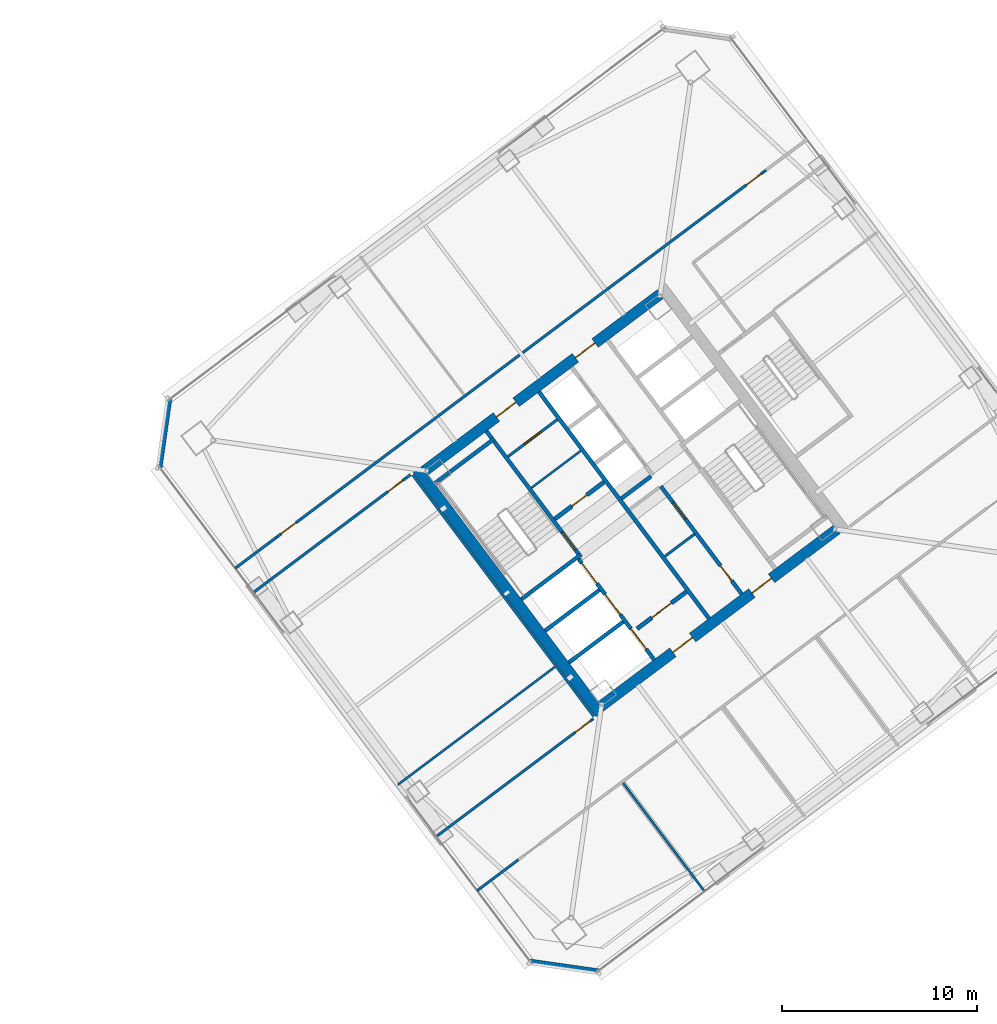
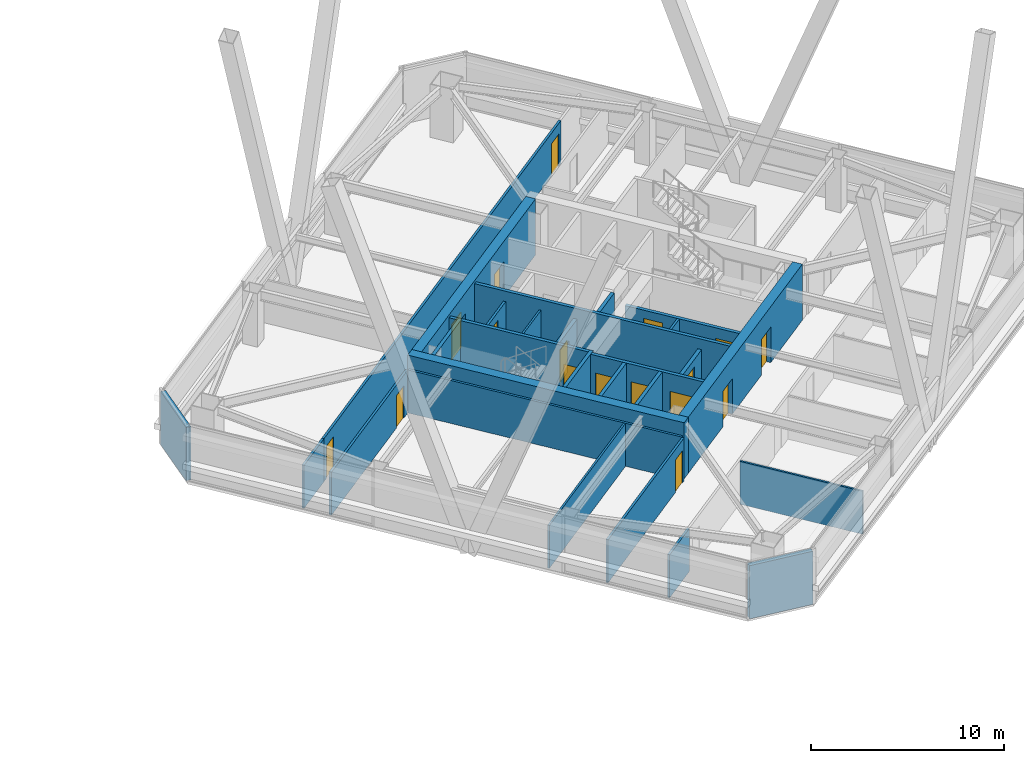
# One storey, part 42 of 50: 27 walls, 17 doors, 17 openings.
"""IFC4 building model written with IfcOpenShell, lengths in metres."""

from ifc_helpers import new_model, si_unit, direction, frame, frame_2d, origin, place, context, subcontext, project, spatial, rectangle, extrude, material, layer, layer_set, type_object, element, fill, save


model = new_model("IFC4")

# Units and contexts
model_context = context("Model", 3, precision=1e-05, world=origin(), true_north=direction((0.0, 1.0)))
body_context = subcontext(model_context, "Body", "Model", "MODEL_VIEW")
ifc_project = project(units=[si_unit("LENGTHUNIT", "METRE"), si_unit("AREAUNIT", "SQUARE_METRE"), si_unit("VOLUMEUNIT", "CUBIC_METRE"), si_unit("PLANEANGLEUNIT", "RADIAN"), si_unit("MASSUNIT", "GRAM", prefix="KILO")], contexts=[model_context])

# Site, building, storey
site_placement = place(None, origin())
site = spatial("IfcSite", under=ifc_project, at=site_placement, CompositionType="ELEMENT")
building_placement = place(site_placement, origin())
building = spatial("IfcBuilding", under=site, at=building_placement, Name="Tashvorn Skyway Center", CompositionType="ELEMENT")
storey_placement = place(building_placement, frame((0.0, 0.0, 114.39990234375)))
storey = spatial("IfcBuildingStorey", under=building, at=storey_placement, Name="L30", CompositionType="ELEMENT", Elevation=114.39990234375)

# Wall
ifc_material_1 = material(Name="Concrete C60/75", Category="concrete")
ifc_layer_1 = layer(ifc_material_1, 0.550048828125)
ifc_layer_set_1 = layer_set([ifc_layer_1], Name="Concrete C60/75")
wall_type_1 = type_object("IfcWallType", Name="WALL-CORE-550", PredefinedType="SHEAR", material=ifc_layer_set_1)
wall_1_placement = place(storey_placement, frame((112.43603515625, 21.076904296875, 0.0), z_axis=(0.0, 0.0, 1.0), x_axis=(-0.600005007985, 0.799996243986, 0.0)))
element("IfcWall", 1, at=wall_1_placement, inside=storey, type_object=wall_type_1, Name="Tower 2 L30 West Core Shear Wall", PredefinedType="SHEAR", context=body_context, shape_type="SweptSolid", body=[
    extrude(rectangle(XDim=15.60009765625, YDim=0.550048828125, at=frame_2d((7.800048828125, 0.0))), origin(), (0.0, 0.0, 1.0), 3.550048828125),
])

# Wall, openings, doors
wall_2_placement = place(storey_placement, frame((124.5390625, 30.498046875, 0.0), z_axis=(0.0, 0.0, 1.0), x_axis=(-0.799998054672, -0.600002593761, 0.0)))
wall_2 = element("IfcWall", 2, at=wall_2_placement, inside=storey, type_object=wall_type_1, Name="Tower 2 L30 South Core Shear Wall", PredefinedType="SHEAR", context=body_context, shape_type="SweptSolid", body=[
    extrude(rectangle(XDim=15.06005859375, YDim=0.550048828125, at=frame_2d((7.530029296875, 0.0))), origin(), (0.0, 0.0, 1.0), 3.550048828125),
])
opening_1_placement = place(wall_2_placement, frame((9.22998046875, 0.0, 0.0)))
opening_1 = element("IfcOpeningElement", 3, at=opening_1_placement, cuts=wall_2, Name="Opening D-FFL-1250", PredefinedType="OPENING", context=body_context, shape_type="SweptSolid", body=[
    extrude(rectangle(XDim=1.25, YDim=2.25, at=frame_2d((0.625, 1.125))), frame((0.0, 0.284912109375, 0.0), z_axis=(0.0, -1.0, 0.0), x_axis=(1.0, 0.0, 0.0)), (0.0, 0.0, 1.0), 0.570068359375),
])
opening_2_placement = place(wall_2_placement, frame((4.179931640625, 0.0, 0.0)))
opening_2 = element("IfcOpeningElement", 4, at=opening_2_placement, cuts=wall_2, Name="Opening D-FFL-1250", PredefinedType="OPENING", context=body_context, shape_type="SweptSolid", body=[
    extrude(rectangle(XDim=1.25, YDim=2.25, at=frame_2d((0.625, 1.125))), frame((0.0, 0.284912109375, 0.0), z_axis=(0.0, -1.0, 0.0), x_axis=(1.0, 0.0, 0.0)), (0.0, 0.0, 1.0), 0.570068359375),
])
ifc_material_2 = material(Name="Hollow galvanized steel fire door assembly", Category="steel")
door_type_1 = type_object("IfcDoorType", Name="DOOR-FFL-1250", OperationType="NOTDEFINED", PredefinedType="DOOR", material=ifc_material_2)
door_1_placement = place(opening_1_placement, origin())
door_1 = element("IfcDoor", 5, at=door_1_placement, inside=storey, type_object=door_type_1, Name="Tower 2 L30 Core South Firefighting Exit Door", OperationType="SINGLE_SWING_LEFT", OverallHeight=2.25, OverallWidth=1.25, PredefinedType="DOOR", context=body_context, shape_type="SweptSolid", body=[
    extrude(rectangle(XDim=1.25, YDim=2.25, at=frame_2d((0.625, 1.125))), frame((0.0, 0.02490234375, 0.0), z_axis=(0.0, -1.0, 0.0), x_axis=(1.0, 0.0, 0.0)), (0.0, 0.0, 1.0), 0.050048828125),
])
fill(opening_1, door_1)
door_2_placement = place(opening_2_placement, origin())
door_2 = element("IfcDoor", 6, at=door_2_placement, inside=storey, type_object=door_type_1, Name="Tower 2 L30 Core South Lift Lobby Door", OperationType="SINGLE_SWING_RIGHT", OverallHeight=2.25, OverallWidth=1.25, PredefinedType="DOOR", context=body_context, shape_type="SweptSolid", body=[
    extrude(rectangle(XDim=1.25, YDim=2.25, at=frame_2d((0.625, 1.125))), frame((0.0, 0.02490234375, 0.0), z_axis=(0.0, -1.0, 0.0), x_axis=(1.0, 0.0, 0.0)), (0.0, 0.0, 1.0), 0.050048828125),
])
fill(opening_2, door_2)

wall_3_placement = place(storey_placement, frame((103.4609375, 33.501953125, 0.0), z_axis=(0.0, 0.0, 1.0), x_axis=(0.799998054672, 0.600002593761, 0.0)))
wall_3 = element("IfcWall", 7, at=wall_3_placement, inside=storey, type_object=wall_type_1, Name="Tower 2 L30 North Core Shear Wall", PredefinedType="SHEAR", context=body_context, shape_type="SweptSolid", body=[
    extrude(rectangle(XDim=15.06005859375, YDim=0.550048828125, at=frame_2d((7.530029296875, 0.0))), origin(), (0.0, 0.0, 1.0), 3.550048828125),
])
opening_3_placement = place(wall_3_placement, frame((4.580078125, 0.0, 0.0)))
opening_3 = element("IfcOpeningElement", 8, at=opening_3_placement, cuts=wall_3, Name="Opening D-FFL-1250", PredefinedType="OPENING", context=body_context, shape_type="SweptSolid", body=[
    extrude(rectangle(XDim=1.25, YDim=2.25, at=frame_2d((0.625, 1.125))), frame((0.0, 0.284912109375, 0.0), z_axis=(0.0, -1.0, 0.0), x_axis=(1.0, 0.0, 0.0)), (0.0, 0.0, 1.0), 0.570068359375),
])
opening_4_placement = place(wall_3_placement, frame((9.6298828125, 0.0, 0.0)))
opening_4 = element("IfcOpeningElement", 9, at=opening_4_placement, cuts=wall_3, Name="Opening D-FFL-1250", PredefinedType="OPENING", context=body_context, shape_type="SweptSolid", body=[
    extrude(rectangle(XDim=1.25, YDim=2.25, at=frame_2d((0.625, 1.125))), frame((0.0, 0.284912109375, 0.0), z_axis=(0.0, -1.0, 0.0), x_axis=(1.0, 0.0, 0.0)), (0.0, 0.0, 1.0), 0.570068359375),
])
door_3_placement = place(opening_3_placement, origin())
door_3 = element("IfcDoor", 10, at=door_3_placement, inside=storey, type_object=door_type_1, Name="Tower 2 L30 Core North Service Lobby Door", OperationType="SINGLE_SWING_LEFT", OverallHeight=2.25, OverallWidth=1.25, PredefinedType="DOOR", context=body_context, shape_type="SweptSolid", body=[
    extrude(rectangle(XDim=1.25, YDim=2.25, at=frame_2d((0.625, 1.125))), frame((0.0, 0.02490234375, 0.0), z_axis=(0.0, -1.0, 0.0), x_axis=(1.0, 0.0, 0.0)), (0.0, 0.0, 1.0), 0.050048828125),
])
fill(opening_3, door_3)
door_4_placement = place(opening_4_placement, origin())
door_4 = element("IfcDoor", 11, at=door_4_placement, inside=storey, type_object=door_type_1, Name="Tower 2 L30 Core North Lift Lobby Door", OperationType="SINGLE_SWING_RIGHT", OverallHeight=2.25, OverallWidth=1.25, PredefinedType="DOOR", context=body_context, shape_type="SweptSolid", body=[
    extrude(rectangle(XDim=1.25, YDim=2.25, at=frame_2d((0.625, 1.125))), frame((0.0, 0.02490234375, 0.0), z_axis=(0.0, -1.0, 0.0), x_axis=(1.0, 0.0, 0.0)), (0.0, 0.0, 1.0), 0.050048828125),
])
fill(opening_4, door_4)

# Walls
ifc_material_3 = material(Name="Precast concrete C40/50", Category="concrete")
ifc_layer_2 = layer(ifc_material_3, 0.280029296875)
ifc_layer_set_2 = layer_set([ifc_layer_2], Name="Precast concrete C40/50")
wall_type_2 = type_object("IfcWallType", Name="WALL-EXT-280", PredefinedType="SOLIDWALL", material=ifc_layer_set_2)
for number, where, z_axis, x_axis, name in (
    (12, (112.340087890625, 7.8798828125, 0.0), (0.0, 0.0, 1.0), (-0.989949493661, 0.141421356237, 0.0), "Tower 2 L30 SW Precast Chamfer Wall"),
    (13, (89.8798828125, 33.659912109375, 0.0), (0.0, 0.0, 1.0), (0.141421356237, 0.989949493661, 0.0), "Tower 2 L30 NW Precast Chamfer Wall"),
):
    element("IfcWall", number, at=place(storey_placement, frame(where, z_axis=z_axis, x_axis=x_axis)), inside=storey, type_object=wall_type_2, Name=name, PredefinedType="SOLIDWALL", context=body_context, shape_type="SweptSolid", body=[
        extrude(rectangle(XDim=3.53564453125, YDim=0.280029296875, at=frame_2d((1.767822265625, 0.0))), origin(), (0.0, 0.0, 1.0), 3.3701171875),
    ])

# Wall, opening, door
ifc_material_4 = material(Name="Concrete C40/50", Category="concrete")
ifc_layer_3 = layer(ifc_material_4, 0.219970703125)
ifc_layer_set_3 = layer_set([ifc_layer_3], Name="Concrete C40/50")
wall_type_3 = type_object("IfcWallType", Name="WALL-FFL-220", PredefinedType="SOLIDWALL", material=ifc_layer_set_3)
wall_4_placement = place(storey_placement, frame((110.10400390625, 31.028076171875, 0.0), z_axis=(0.0, 0.0, 1.0), x_axis=(0.800018601094, 0.59997519774, 0.0)))
wall_4 = element("IfcWall", 14, at=wall_4_placement, inside=storey, type_object=wall_type_3, Name="Tower 2 L30 Firefighting Lobby North Wall", PredefinedType="SOLIDWALL", context=body_context, shape_type="SweptSolid", body=[
    extrude(rectangle(XDim=3.14990234375, YDim=0.219970703125, at=frame_2d((1.574951171875, 0.0))), origin(), (0.0, 0.0, 1.0), 2.72314453125),
])
opening_5_placement = place(wall_4_placement, frame((1.10009765625, 0.0, 0.0)))
opening_5 = element("IfcOpeningElement", 15, at=opening_5_placement, cuts=wall_4, Name="Opening D-RT-950", PredefinedType="OPENING", context=body_context, shape_type="SweptSolid", body=[
    extrude(rectangle(XDim=0.949951171875, YDim=2.050048828125, at=frame_2d((0.47509765625, 1.02490234375))), frame((0.0, 0.119873046875, 0.0), z_axis=(0.0, -1.0, 0.0), x_axis=(1.0, 0.0, 0.0)), (0.0, 0.0, 1.0), 0.239990234375),
])
door_type_2 = type_object("IfcDoorType", Name="DOOR-RATED-950", OperationType="NOTDEFINED", PredefinedType="DOOR", material=ifc_material_2)
door_5_placement = place(opening_5_placement, origin())
door_5 = element("IfcDoor", 16, at=door_5_placement, inside=storey, type_object=door_type_2, Name="Tower 2 L30 Core Linen Store Door", OperationType="SINGLE_SWING_LEFT", OverallHeight=2.050048828125, OverallWidth=0.949951171875, PredefinedType="DOOR", context=body_context, shape_type="SweptSolid", body=[
    extrude(rectangle(XDim=0.949951171875, YDim=2.050048828125, at=frame_2d((0.47509765625, 1.02490234375))), frame((0.0, 0.02490234375, 0.0), z_axis=(0.0, -1.0, 0.0), x_axis=(1.0, 0.0, 0.0)), (0.0, 0.0, 1.0), 0.050048828125),
])
fill(opening_5, door_5)

wall_5_placement = place(storey_placement, frame((114.31591796875, 25.412109375, 0.0), z_axis=(0.0, 0.0, 1.0), x_axis=(0.800018601094, 0.59997519774, 0.0)))
wall_5 = element("IfcWall", 17, at=wall_5_placement, inside=storey, type_object=wall_type_3, Name="Tower 2 L30 Firefighting Lobby South Wall", PredefinedType="SOLIDWALL", context=body_context, shape_type="SweptSolid", body=[
    extrude(rectangle(XDim=3.14990234375, YDim=0.219970703125, at=frame_2d((1.574951171875, 0.0))), origin(), (0.0, 0.0, 1.0), 2.72314453125),
])
opening_6_placement = place(wall_5_placement, frame((0.949951171875, 0.0, 0.0)))
opening_6 = element("IfcOpeningElement", 18, at=opening_6_placement, cuts=wall_5, Name="Opening D-FFL-1250", PredefinedType="OPENING", context=body_context, shape_type="SweptSolid", body=[
    extrude(rectangle(XDim=1.25, YDim=2.25, at=frame_2d((0.625, 1.125))), frame((0.0, 0.119873046875, 0.0), z_axis=(0.0, -1.0, 0.0), x_axis=(1.0, 0.0, 0.0)), (0.0, 0.0, 1.0), 0.239990234375),
])
door_6_placement = place(opening_6_placement, origin())
door_6 = element("IfcDoor", 19, at=door_6_placement, inside=storey, type_object=door_type_1, Name="Tower 2 L30 Firefighting Lobby Egress Door", OperationType="SINGLE_SWING_LEFT", OverallHeight=2.25, OverallWidth=1.25, PredefinedType="DOOR", context=body_context, shape_type="SweptSolid", body=[
    extrude(rectangle(XDim=1.25, YDim=2.25, at=frame_2d((0.625, 1.125))), frame((0.0, 0.02490234375, 0.0), z_axis=(0.0, -1.0, 0.0), x_axis=(1.0, 0.0, 0.0)), (0.0, 0.0, 1.0), 0.050048828125),
])
fill(opening_6, door_6)

# Walls
ifc_material_5 = material(Name="Gypsum board on cold-formed steel stud framing", Category="steel")
ifc_layer_4 = layer(ifc_material_5, 0.110107421875)
ifc_layer_set_4 = layer_set([ifc_layer_4], Name="Gypsum board on cold-formed steel stud framing")
wall_type_4 = type_object("IfcWallType", Name="WALL-PART-110", PredefinedType="PARTITIONING", material=ifc_layer_set_4)
wall_6_placement = place(storey_placement, frame((117.76806640625, 11.97607421875, 0.0), z_axis=(0.0, 0.0, 1.0), x_axis=(-0.6, 0.8, 0.0)))
element("IfcWall", 20, at=wall_6_placement, inside=storey, type_object=wall_type_4, Name="Tower 2 L30 South Suite Partition 1", PredefinedType="PARTITIONING", context=body_context, shape_type="SweptSolid", body=[
    extrude(rectangle(XDim=6.929931640625, YDim=0.110107421875, at=frame_2d((3.46484375, 0.0))), origin(), (0.0, 0.0, 1.0), 2.72314453125),
])
wall_7_placement = place(storey_placement, frame((102.075927734375, 17.431884765625, 0.0), z_axis=(0.0, 0.0, 1.0), x_axis=(0.799991245945, 0.600011671896, 0.0)))
element("IfcWall", 21, at=wall_7_placement, inside=storey, type_object=wall_type_4, Name="Tower 2 L30 West Mid Partition", PredefinedType="PARTITIONING", context=body_context, shape_type="SweptSolid", body=[
    extrude(rectangle(XDim=10.0400390625, YDim=0.110107421875, at=frame_2d((5.02001953125, 0.0))), origin(), (0.0, 0.0, 1.0), 2.72314453125),
])

# Wall, openings, doors
ifc_layer_5 = layer(ifc_material_5, 0.135009765625)
ifc_layer_set_5 = layer_set([ifc_layer_5], Name="Gypsum board on cold-formed steel stud framing")
wall_type_5 = type_object("IfcWallType", Name="WALL-PART-135", PredefinedType="PARTITIONING", material=ifc_layer_set_5)
wall_8_placement = place(storey_placement, frame((95.8701171875, 30.090087890625, 0.0), z_axis=(0.0, 0.0, 1.0), x_axis=(0.799997191971, 0.600003744021, 0.0)))
wall_8 = element("IfcWall", 22, at=wall_8_placement, inside=storey, type_object=wall_type_5, Name="Tower 2 L30 North Suite Wall", PredefinedType="PARTITIONING", context=body_context, shape_type="SweptSolid", body=[
    extrude(rectangle(XDim=31.2998046875, YDim=0.135009765625, at=frame_2d((15.64990234375, 0.0))), origin(), (0.0, 0.0, 1.0), 2.72314453125),
])
opening_7_placement = place(wall_8_placement, frame((0.300048828125, 0.0, 0.0)))
opening_7 = element("IfcOpeningElement", 23, at=opening_7_placement, cuts=wall_8, Name="Opening D-INT-950", PredefinedType="OPENING", context=body_context, shape_type="SweptSolid", body=[
    extrude(rectangle(XDim=0.949951171875, YDim=2.050048828125, at=frame_2d((0.47509765625, 1.02490234375))), frame((0.0, 0.077392578125, 0.0), z_axis=(0.0, -1.0, 0.0), x_axis=(1.0, 0.0, 0.0)), (0.0, 0.0, 1.0), 0.155029296875),
])
opening_8_placement = place(wall_8_placement, frame((30.050048828125, 0.0, 0.0)))
opening_8 = element("IfcOpeningElement", 24, at=opening_8_placement, cuts=wall_8, Name="Opening D-INT-950", PredefinedType="OPENING", context=body_context, shape_type="SweptSolid", body=[
    extrude(rectangle(XDim=0.949951171875, YDim=2.050048828125, at=frame_2d((0.47509765625, 1.02490234375))), frame((0.0, 0.077392578125, 0.0), z_axis=(0.0, -1.0, 0.0), x_axis=(1.0, 0.0, 0.0)), (0.0, 0.0, 1.0), 0.155029296875),
])
ifc_material_6 = material(Name="Solid-core architectural oak veneer door")
door_type_3 = type_object("IfcDoorType", Name="DOOR-INT-950", OperationType="NOTDEFINED", PredefinedType="DOOR", material=ifc_material_6)
door_7_placement = place(opening_7_placement, origin())
door_7 = element("IfcDoor", 25, at=door_7_placement, inside=storey, type_object=door_type_3, Name="Tower 2 L30 Executive Study Lounge Door", OperationType="SINGLE_SWING_RIGHT", OverallHeight=2.050048828125, OverallWidth=0.949951171875, PredefinedType="DOOR", context=body_context, shape_type="SweptSolid", body=[
    extrude(rectangle(XDim=0.949951171875, YDim=2.050048828125, at=frame_2d((0.47509765625, 1.02490234375))), frame((0.0, 0.02490234375, 0.0), z_axis=(0.0, -1.0, 0.0), x_axis=(1.0, 0.0, 0.0)), (0.0, 0.0, 1.0), 0.050048828125),
])
fill(opening_7, door_7)
door_8_placement = place(opening_8_placement, origin())
door_8 = element("IfcDoor", 26, at=door_8_placement, inside=storey, type_object=door_type_3, Name="Tower 2 L30 Executive Study Lounge Door", OperationType="SINGLE_SWING_LEFT", OverallHeight=2.050048828125, OverallWidth=0.949951171875, PredefinedType="DOOR", context=body_context, shape_type="SweptSolid", body=[
    extrude(rectangle(XDim=0.949951171875, YDim=2.050048828125, at=frame_2d((0.47509765625, 1.02490234375))), frame((0.0, 0.02490234375, 0.0), z_axis=(0.0, -1.0, 0.0), x_axis=(1.0, 0.0, 0.0)), (0.0, 0.0, 1.0), 0.050048828125),
])
fill(opening_8, door_8)

# Walls
wall_9_placement = place(storey_placement, frame((93.76611328125, 28.511962890625, 0.0), z_axis=(0.0, 0.0, 1.0), x_axis=(0.799977721118, 0.600029704027, 0.0)))
element("IfcWall", 27, at=wall_9_placement, inside=storey, type_object=wall_type_5, Name="Tower 2 L30 North-West Suite South Wall", PredefinedType="PARTITIONING", context=body_context, shape_type="SweptSolid", body=[
    extrude(rectangle(XDim=2.630126953125, YDim=0.135009765625, at=frame_2d((1.31494140625, 0.0))), origin(), (0.0, 0.0, 1.0), 2.72314453125),
])
wall_10_placement = place(storey_placement, frame((106.137939453125, 12.01611328125, 0.0), z_axis=(0.0, 0.0, 1.0), x_axis=(0.80002227902, 0.599970293491, 0.0)))
element("IfcWall", 28, at=wall_10_placement, inside=storey, type_object=wall_type_5, Name="Tower 2 L30 South-West Suite North Wall", PredefinedType="PARTITIONING", context=body_context, shape_type="SweptSolid", body=[
    extrude(rectangle(XDim=2.6298828125, YDim=0.135009765625, at=frame_2d((1.31494140625, 0.0))), origin(), (0.0, 0.0, 1.0), 2.72314453125),
])
wall_11_placement = place(storey_placement, frame((112.10400390625, 20.927978515625, 0.0), z_axis=(0.0, 0.0, 1.0), x_axis=(-0.599994940075, 0.800003794918, 0.0)))
element("IfcWall", 29, at=wall_11_placement, inside=storey, type_object=wall_type_5, Name="Tower 2 L30 West Inner Suite Wall", PredefinedType="PARTITIONING", context=body_context, shape_type="SweptSolid", body=[
    extrude(rectangle(XDim=15.43994140625, YDim=0.135009765625, at=frame_2d((7.719970703125, 0.0))), origin(), (0.0, 0.0, 1.0), 2.72314453125),
])

# Wall, opening, door
wall_12_placement = place(storey_placement, frame((102.72802734375, 33.2958984375, 0.0), z_axis=(0.0, 0.0, 1.0), x_axis=(-0.800002918023, -0.599996109283, 0.0)))
wall_12 = element("IfcWall", 30, at=wall_12_placement, inside=storey, type_object=wall_type_5, Name="Tower 2 L30 West Suite North Wall", PredefinedType="PARTITIONING", context=body_context, shape_type="SweptSolid", body=[
    extrude(rectangle(XDim=10.0400390625, YDim=0.135009765625, at=frame_2d((5.02001953125, 0.0))), origin(), (0.0, 0.0, 1.0), 2.72314453125),
])
opening_9_placement = place(wall_12_placement, frame((0.5, 0.0, 0.0)))
opening_9 = element("IfcOpeningElement", 31, at=opening_9_placement, cuts=wall_12, Name="Opening D-INT-950", PredefinedType="OPENING", context=body_context, shape_type="SweptSolid", body=[
    extrude(rectangle(XDim=0.949951171875, YDim=2.050048828125, at=frame_2d((0.47509765625, 1.02490234375))), frame((0.0, 0.077392578125, 0.0), z_axis=(0.0, -1.0, 0.0), x_axis=(1.0, 0.0, 0.0)), (0.0, 0.0, 1.0), 0.155029296875),
])
door_9_placement = place(opening_9_placement, origin())
door_9 = element("IfcDoor", 32, at=door_9_placement, inside=storey, type_object=door_type_3, Name="Tower 2 L30 Reading Lounge Door", OperationType="SINGLE_SWING_LEFT", OverallHeight=2.050048828125, OverallWidth=0.949951171875, PredefinedType="DOOR", context=body_context, shape_type="SweptSolid", body=[
    extrude(rectangle(XDim=0.949951171875, YDim=2.050048828125, at=frame_2d((0.47509765625, 1.02490234375))), frame((0.0, 0.02490234375, 0.0), z_axis=(0.0, -1.0, 0.0), x_axis=(1.0, 0.0, 0.0)), (0.0, 0.0, 1.0), 0.050048828125),
])
fill(opening_9, door_9)

wall_13_placement = place(storey_placement, frame((104.055908203125, 14.7919921875, 0.0), z_axis=(0.0, 0.0, 1.0), x_axis=(0.800002918023, 0.599996109283, 0.0)))
wall_13 = element("IfcWall", 33, at=wall_13_placement, inside=storey, type_object=wall_type_5, Name="Tower 2 L30 West Suite South Wall", PredefinedType="PARTITIONING", context=body_context, shape_type="SweptSolid", body=[
    extrude(rectangle(XDim=10.0400390625, YDim=0.135009765625, at=frame_2d((5.02001953125, 0.0))), origin(), (0.0, 0.0, 1.0), 2.72314453125),
])
opening_10_placement = place(wall_13_placement, frame((8.8798828125, 0.0, 0.0)))
opening_10 = element("IfcOpeningElement", 34, at=opening_10_placement, cuts=wall_13, Name="Opening D-INT-950", PredefinedType="OPENING", context=body_context, shape_type="SweptSolid", body=[
    extrude(rectangle(XDim=0.949951171875, YDim=2.050048828125, at=frame_2d((0.47509765625, 1.02490234375))), frame((0.0, 0.077392578125, 0.0), z_axis=(0.0, -1.0, 0.0), x_axis=(1.0, 0.0, 0.0)), (0.0, 0.0, 1.0), 0.155029296875),
])
door_10_placement = place(opening_10_placement, origin())
door_10 = element("IfcDoor", 35, at=door_10_placement, inside=storey, type_object=door_type_3, Name="Tower 2 L30 Public Restroom Door", OperationType="SINGLE_SWING_RIGHT", OverallHeight=2.050048828125, OverallWidth=0.949951171875, PredefinedType="DOOR", context=body_context, shape_type="SweptSolid", body=[
    extrude(rectangle(XDim=0.949951171875, YDim=2.050048828125, at=frame_2d((0.47509765625, 1.02490234375))), frame((0.0, 0.02490234375, 0.0), z_axis=(0.0, -1.0, 0.0), x_axis=(1.0, 0.0, 0.0)), (0.0, 0.0, 1.0), 0.050048828125),
])
fill(opening_10, door_10)

# Wall
ifc_layer_6 = layer(ifc_material_5, 0.110107421875)
ifc_layer_set_6 = layer_set([ifc_layer_6], Name="Gypsum board on cold-formed steel stud framing")
wall_type_6 = type_object("IfcWallType", Name="WALL-RATED-110", PredefinedType="PARTITIONING", material=ifc_layer_set_6)
wall_14_placement = place(storey_placement, frame((108.909912109375, 32.6201171875, 0.0), z_axis=(0.0, 0.0, 1.0), x_axis=(0.800018601094, 0.59997519774, 0.0)))
element("IfcWall", 36, at=wall_14_placement, inside=storey, type_object=wall_type_6, Name="Tower 2 L30 Core Transverse Wall", PredefinedType="PARTITIONING", context=body_context, shape_type="SweptSolid", body=[
    extrude(rectangle(XDim=3.14990234375, YDim=0.110107421875, at=frame_2d((1.574951171875, 0.0))), origin(), (0.0, 0.0, 1.0), 2.72314453125),
])

# Wall, opening, door
ifc_layer_7 = layer(ifc_material_5, 0.135009765625)
ifc_layer_set_7 = layer_set([ifc_layer_7], Name="Gypsum board on cold-formed steel stud framing")
wall_type_7 = type_object("IfcWallType", Name="WALL-RATED-135", PredefinedType="PARTITIONING", material=ifc_layer_set_7)
wall_15_placement = place(storey_placement, frame((107.7099609375, 34.219970703125, 0.0), z_axis=(0.0, 0.0, 1.0), x_axis=(0.799981399002, 0.60002480053, 0.0)))
wall_15 = element("IfcWall", 37, at=wall_15_placement, inside=storey, type_object=wall_type_7, Name="Tower 2 L30 Core Service Lobby Wall", PredefinedType="PARTITIONING", context=body_context, shape_type="SweptSolid", body=[
    extrude(rectangle(XDim=3.150146484375, YDim=0.135009765625, at=frame_2d((1.5751953125, 0.0))), origin(), (0.0, 0.0, 1.0), 2.72314453125),
])
opening_11_placement = place(wall_15_placement, frame((1.050048828125, 0.0, 0.0)))
opening_11 = element("IfcOpeningElement", 38, at=opening_11_placement, cuts=wall_15, Name="Opening D-RT-1050", PredefinedType="OPENING", context=body_context, shape_type="SweptSolid", body=[
    extrude(rectangle(XDim=1.050048828125, YDim=2.199951171875, at=frame_2d((0.52490234375, 1.10009765625))), frame((0.0, 0.077392578125, 0.0), z_axis=(0.0, -1.0, 0.0), x_axis=(1.0, 0.0, 0.0)), (0.0, 0.0, 1.0), 0.155029296875),
])
door_type_4 = type_object("IfcDoorType", Name="DOOR-RATED-1050", OperationType="NOTDEFINED", PredefinedType="DOOR", material=ifc_material_2)
door_11_placement = place(opening_11_placement, origin())
door_11 = element("IfcDoor", 39, at=door_11_placement, inside=storey, type_object=door_type_4, Name="Tower 2 L30 Core Accessible WC Door", OperationType="SINGLE_SWING_RIGHT", OverallHeight=2.199951171875, OverallWidth=1.050048828125, PredefinedType="DOOR", context=body_context, shape_type="SweptSolid", body=[
    extrude(rectangle(XDim=1.050048828125, YDim=2.199951171875, at=frame_2d((0.52490234375, 1.10009765625))), frame((0.0, 0.02490234375, 0.0), z_axis=(0.0, -1.0, 0.0), x_axis=(1.0, 0.0, 0.0)), (0.0, 0.0, 1.0), 0.050048828125),
])
fill(opening_11, door_11)

# Walls
wall_16_placement = place(storey_placement, frame((115.74609375, 29.1220703125, 0.0), z_axis=(0.0, 0.0, 1.0), x_axis=(0.8, 0.6, 0.0)))
element("IfcWall", 40, at=wall_16_placement, inside=storey, type_object=wall_type_7, Name="Tower 2 L30 Freed Core Partition", PredefinedType="PARTITIONING", context=body_context, shape_type="SweptSolid", body=[
    extrude(rectangle(XDim=1.8798828125, YDim=0.135009765625, at=frame_2d((0.93994140625, 0.0))), origin(), (0.0, 0.0, 1.0), 2.72314453125),
])
ifc_layer_8 = layer(ifc_material_4, 0.199951171875)
ifc_layer_set_8 = layer_set([ifc_layer_8], Name="Concrete C40/50")
wall_type_8 = type_object("IfcWallType", Name="WALL-SHAFT-200", PredefinedType="SOLIDWALL", material=ifc_layer_set_8)
for number, where, z_axis, x_axis, name in (
    (41, (110.825927734375, 23.681884765625, 0.0), (0.0, 0.0, 1.0), (0.8, 0.6, 0.0), "Tower 2 L30 FSAE Shaft Divider"),
    (42, (109.60791015625, 25.305908203125, 0.0), (0.0, 0.0, 1.0), (0.8, 0.6, 0.0), "Tower 2 L30 FSAE Shaft Divider"),
):
    element("IfcWall", number, at=place(storey_placement, frame(where, z_axis=z_axis, x_axis=x_axis)), inside=storey, type_object=wall_type_8, Name=name, PredefinedType="SOLIDWALL", context=body_context, shape_type="SweptSolid", body=[
        extrude(rectangle(XDim=3.480224609375, YDim=0.199951171875, at=frame_2d((1.740234375, 0.0))), origin(), (0.0, 0.0, 1.0), 3.3701171875),
    ])

# Wall, openings, doors
wall_17_placement = place(storey_placement, frame((119.669921875, 27.18994140625, 0.0), z_axis=(0.0, 0.0, 1.0), x_axis=(-0.599988677396, 0.800008491828, 0.0)))
wall_17 = element("IfcWall", 43, at=wall_17_placement, inside=storey, type_object=wall_type_8, Name="Tower 2 L30 Low-Rise Core Wall", PredefinedType="SOLIDWALL", context=body_context, shape_type="SweptSolid", body=[
    extrude(rectangle(XDim=6.89990234375, YDim=0.199951171875, at=frame_2d((3.449951171875, 0.0))), origin(), (0.0, 0.0, 1.0), 2.72314453125),
])
opening_12_placement = place(wall_17_placement, frame((0.85009765625, 0.0, 0.0)))
opening_12 = element("IfcOpeningElement", 44, at=opening_12_placement, cuts=wall_17, Name="Opening D-RT-950", PredefinedType="OPENING", context=body_context, shape_type="SweptSolid", body=[
    extrude(rectangle(XDim=0.949951171875, YDim=2.050048828125, at=frame_2d((0.47509765625, 1.02490234375))), frame((0.0, 0.10986328125, 0.0), z_axis=(0.0, -1.0, 0.0), x_axis=(1.0, 0.0, 0.0)), (0.0, 0.0, 1.0), 0.219970703125),
])
opening_13_placement = place(wall_17_placement, frame((4.800048828125, 0.0, 0.0)))
opening_13 = element("IfcOpeningElement", 45, at=opening_13_placement, cuts=wall_17, Name="Opening D-RT-1050", PredefinedType="OPENING", context=body_context, shape_type="SweptSolid", body=[
    extrude(rectangle(XDim=1.050048828125, YDim=2.199951171875, at=frame_2d((0.52490234375, 1.10009765625))), frame((0.0, 0.10986328125, 0.0), z_axis=(0.0, -1.0, 0.0), x_axis=(1.0, 0.0, 0.0)), (0.0, 0.0, 1.0), 0.219970703125),
])
door_12_placement = place(opening_13_placement, origin())
door_12 = element("IfcDoor", 46, at=door_12_placement, inside=storey, type_object=door_type_4, Name="Tower 2 L30 Freed Core Room Door", OperationType="SINGLE_SWING_RIGHT", OverallHeight=2.199951171875, OverallWidth=1.050048828125, PredefinedType="DOOR", context=body_context, shape_type="SweptSolid", body=[
    extrude(rectangle(XDim=1.050048828125, YDim=2.199951171875, at=frame_2d((0.52490234375, 1.10009765625))), frame((0.0, 0.02490234375, 0.0), z_axis=(0.0, -1.0, 0.0), x_axis=(1.0, 0.0, 0.0)), (0.0, 0.0, 1.0), 0.050048828125),
])
fill(opening_13, door_12)
door_13_placement = place(opening_12_placement, origin())
door_13 = element("IfcDoor", 47, at=door_13_placement, inside=storey, type_object=door_type_2, Name="Tower 2 L30 Core Print Room Door", OperationType="SINGLE_SWING_LEFT", OverallHeight=2.050048828125, OverallWidth=0.949951171875, PredefinedType="DOOR", context=body_context, shape_type="SweptSolid", body=[
    extrude(rectangle(XDim=0.949951171875, YDim=2.050048828125, at=frame_2d((0.47509765625, 1.02490234375))), frame((0.0, 0.02490234375, 0.0), z_axis=(0.0, -1.0, 0.0), x_axis=(1.0, 0.0, 0.0)), (0.0, 0.0, 1.0), 0.050048828125),
])
fill(opening_12, door_13)

# Wall
wall_18_placement = place(storey_placement, frame((113.52587890625, 32.08203125, 0.0), z_axis=(0.0, 0.0, 1.0), x_axis=(0.800046745961, 0.599937666993, 0.0)))
element("IfcWall", 48, at=wall_18_placement, inside=storey, type_object=wall_type_8, Name="Tower 2 L30 Mid-Rise Shaft Divider", PredefinedType="SOLIDWALL", context=body_context, shape_type="SweptSolid", body=[
    extrude(rectangle(XDim=1.880126953125, YDim=0.199951171875, at=frame_2d((0.93994140625, 0.0))), origin(), (0.0, 0.0, 1.0), 3.3701171875),
])

# Wall, opening, door
ifc_layer_9 = layer(ifc_material_4, 0.199951171875)
ifc_layer_set_9 = layer_set([ifc_layer_9], Name="Concrete C40/50")
wall_type_9 = type_object("IfcWallType", Name="WALL-STSHF-200", PredefinedType="SHEAR", material=ifc_layer_set_9)
wall_19_placement = place(storey_placement, frame((111.43994140625, 29.080078125, 0.0), z_axis=(0.0, 0.0, 1.0), x_axis=(-0.59999029481, 0.8000072788, 0.0)))
wall_19 = element("IfcWall", 49, at=wall_19_placement, inside=storey, type_object=wall_type_9, Name="Tower 2 L30 Stair 1 Enclosure Wall", PredefinedType="SHEAR", context=body_context, shape_type="SweptSolid", body=[
    extrude(rectangle(XDim=8.0498046875, YDim=0.199951171875, at=frame_2d((4.02490234375, 0.0))), origin(), (0.0, 0.0, 1.0), 3.3701171875),
])
opening_14_placement = place(wall_19_placement, frame((0.449951171875, 0.0, 0.0)))
opening_14 = element("IfcOpeningElement", 50, at=opening_14_placement, cuts=wall_19, Name="Opening D-ST-1150", PredefinedType="OPENING", context=body_context, shape_type="SweptSolid", body=[
    extrude(rectangle(XDim=1.14990234375, YDim=2.199951171875, at=frame_2d((0.574951171875, 1.10009765625))), frame((0.0, 0.10986328125, 0.0), z_axis=(0.0, -1.0, 0.0), x_axis=(1.0, 0.0, 0.0)), (0.0, 0.0, 1.0), 0.219970703125),
])
door_type_5 = type_object("IfcDoorType", Name="DOOR-STAIR-1150", OperationType="NOTDEFINED", PredefinedType="DOOR", material=ifc_material_2)
door_14_placement = place(opening_14_placement, origin())
door_14 = element("IfcDoor", 51, at=door_14_placement, inside=storey, type_object=door_type_5, Name="Tower 2 L30 Exit Stair 1 Door", OperationType="SINGLE_SWING_RIGHT", OverallHeight=2.199951171875, OverallWidth=1.14990234375, PredefinedType="DOOR", context=body_context, shape_type="SweptSolid", body=[
    extrude(rectangle(XDim=1.14990234375, YDim=2.199951171875, at=frame_2d((0.574951171875, 1.10009765625))), frame((0.0, 0.02490234375, 0.0), z_axis=(0.0, -1.0, 0.0), x_axis=(1.0, 0.0, 0.0)), (0.0, 0.0, 1.0), 0.050048828125),
])
fill(opening_14, door_14)

# Walls
for number, where, z_axis, x_axis, name in (
    (52, (108.39599609375, 26.922119140625, 0.0), (0.0, 0.0, 1.0), (0.800015298837, 0.599979601008, 0.0), "Tower 2 L30 Stair 1 South Wall"),
    (53, (103.9560546875, 32.842041015625, 0.0), (0.0, 0.0, 1.0), (0.800015298837, 0.599979601008, 0.0), "Tower 2 L30 Stair 1 North Wall"),
):
    element("IfcWall", number, at=place(storey_placement, frame(where, z_axis=z_axis, x_axis=x_axis)), inside=storey, type_object=wall_type_9, Name=name, PredefinedType="SHEAR", context=body_context, shape_type="SweptSolid", body=[
        extrude(rectangle(XDim=3.829833984375, YDim=0.199951171875, at=frame_2d((1.9150390625, 0.0))), origin(), (0.0, 0.0, 1.0), 3.3701171875),
    ])
wall_20_placement = place(storey_placement, frame((117.998046875, 25.93603515625, 0.0), z_axis=(0.0, 0.0, 1.0), x_axis=(-0.600002693989, 0.799997979501, 0.0)))
element("IfcWall", 54, at=wall_20_placement, inside=storey, type_object=wall_type_9, Name="Tower 2 L30 Firefighting Lobby East Smoke Barrier", PredefinedType="SHEAR", context=body_context, shape_type="SweptSolid", body=[
    extrude(rectangle(XDim=14.499755859375, YDim=0.199951171875, at=frame_2d((7.25, 0.0))), origin(), (0.0, 0.0, 1.0), 3.3701171875),
])

# Wall, openings, doors
wall_21_placement = place(storey_placement, frame((115.18994140625, 23.830078125, 0.0), z_axis=(0.0, 0.0, 1.0), x_axis=(-0.599993943644, 0.800004542231, 0.0)))
wall_21 = element("IfcWall", 55, at=wall_21_placement, inside=storey, type_object=wall_type_9, Name="Tower 2 L30 FSAE and Goods Shaft Front Wall", PredefinedType="SHEAR", context=body_context, shape_type="SweptSolid", body=[
    extrude(rectangle(XDim=6.449951171875, YDim=0.199951171875, at=frame_2d((3.22509765625, 0.0))), origin(), (0.0, 0.0, 1.0), 3.3701171875),
])
opening_15_placement = place(wall_21_placement, frame((4.875, 0.0, 0.0)))
opening_15 = element("IfcOpeningElement", 56, at=opening_15_placement, cuts=wall_21, Name="Opening LD-FF-T2-1-L30", PredefinedType="OPENING", context=body_context, shape_type="SweptSolid", body=[
    extrude(rectangle(XDim=1.300048828125, YDim=2.25, at=frame_2d((0.64990234375, 1.125))), frame((0.0, 0.10986328125, 0.0), z_axis=(0.0, -1.0, 0.0), x_axis=(1.0, 0.0, 0.0)), (0.0, 0.0, 1.0), 0.219970703125),
])
opening_16_placement = place(wall_21_placement, frame((2.875, 0.0, 0.0)))
opening_16 = element("IfcOpeningElement", 57, at=opening_16_placement, cuts=wall_21, Name="Opening LD-FF-T2-2-L30", PredefinedType="OPENING", context=body_context, shape_type="SweptSolid", body=[
    extrude(rectangle(XDim=1.300048828125, YDim=2.25, at=frame_2d((0.64990234375, 1.125))), frame((0.0, 0.10986328125, 0.0), z_axis=(0.0, -1.0, 0.0), x_axis=(1.0, 0.0, 0.0)), (0.0, 0.0, 1.0), 0.219970703125),
])
opening_17_placement = place(wall_21_placement, frame((0.675048828125, 0.0, 0.0)))
opening_17 = element("IfcOpeningElement", 58, at=opening_17_placement, cuts=wall_21, Name="Opening LD-GD-T2-1-L30", PredefinedType="OPENING", context=body_context, shape_type="SweptSolid", body=[
    extrude(rectangle(XDim=1.300048828125, YDim=2.25, at=frame_2d((0.64990234375, 1.125))), frame((0.0, 0.10986328125, 0.0), z_axis=(0.0, -1.0, 0.0), x_axis=(1.0, 0.0, 0.0)), (0.0, 0.0, 1.0), 0.219970703125),
])
ifc_material_7 = material(Name="Stainless steel heavy-duty landing door", Category="steel")
door_type_6 = type_object("IfcDoorType", Name="DOOR-LIFT-1300", OperationType="SLIDING_TO_LEFT", PredefinedType="DOOR", material=ifc_material_7)
door_15_placement = place(opening_15_placement, origin())
door_15 = element("IfcDoor", 59, at=door_15_placement, inside=storey, type_object=door_type_6, Name="Lift FF-T2-1 L30 Landing Door", OperationType="SLIDING_TO_LEFT", OverallHeight=2.25, OverallWidth=1.300048828125, PredefinedType="DOOR", context=body_context, shape_type="SweptSolid", body=[
    extrude(rectangle(XDim=1.300048828125, YDim=2.25, at=frame_2d((0.64990234375, 1.125))), frame((0.0, 0.02490234375, 0.0), z_axis=(0.0, -1.0, 0.0), x_axis=(1.0, 0.0, 0.0)), (0.0, 0.0, 1.0), 0.050048828125),
])
fill(opening_15, door_15)
door_16_placement = place(opening_16_placement, origin())
door_16 = element("IfcDoor", 60, at=door_16_placement, inside=storey, type_object=door_type_6, Name="Lift FF-T2-2 L30 Landing Door", OperationType="SLIDING_TO_LEFT", OverallHeight=2.25, OverallWidth=1.300048828125, PredefinedType="DOOR", context=body_context, shape_type="SweptSolid", body=[
    extrude(rectangle(XDim=1.300048828125, YDim=2.25, at=frame_2d((0.64990234375, 1.125))), frame((0.0, 0.02490234375, 0.0), z_axis=(0.0, -1.0, 0.0), x_axis=(1.0, 0.0, 0.0)), (0.0, 0.0, 1.0), 0.050048828125),
])
fill(opening_16, door_16)
door_17_placement = place(opening_17_placement, origin())
door_17 = element("IfcDoor", 61, at=door_17_placement, inside=storey, type_object=door_type_6, Name="Lift GD-T2-1 L30 Landing Door", OperationType="SLIDING_TO_LEFT", OverallHeight=2.25, OverallWidth=1.300048828125, PredefinedType="DOOR", context=body_context, shape_type="SweptSolid", body=[
    extrude(rectangle(XDim=1.300048828125, YDim=2.25, at=frame_2d((0.64990234375, 1.125))), frame((0.0, 0.02490234375, 0.0), z_axis=(0.0, -1.0, 0.0), x_axis=(1.0, 0.0, 0.0)), (0.0, 0.0, 1.0), 0.050048828125),
])
fill(opening_17, door_17)

save(model, "model.ifc")
